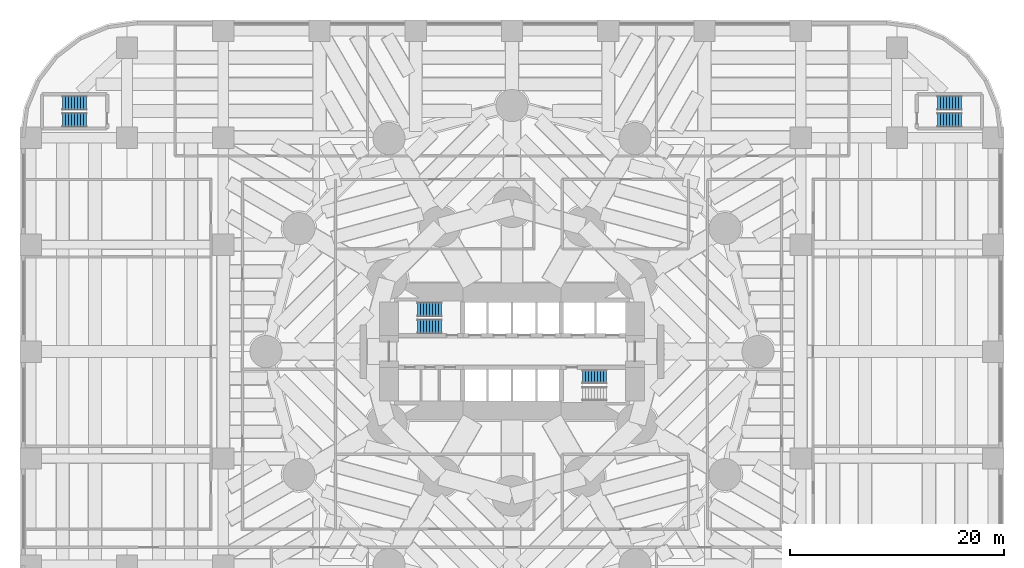
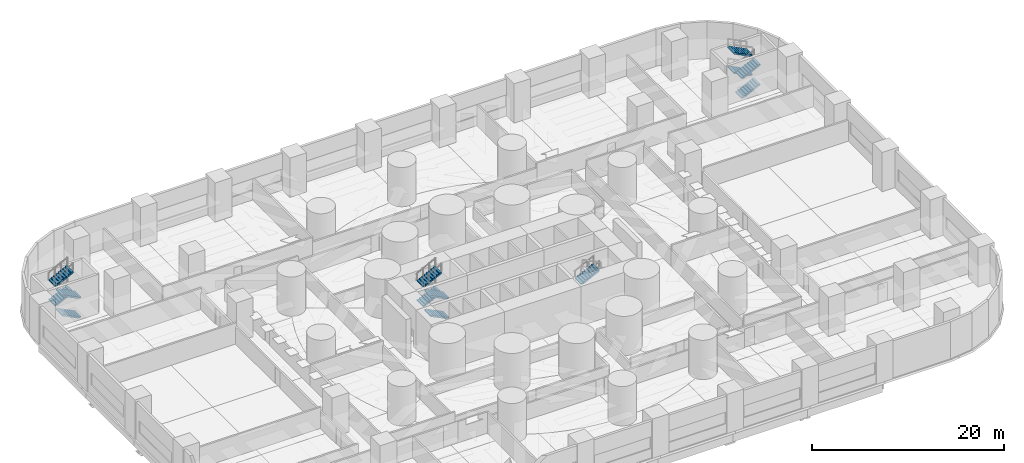
# One storey, part 11 of 17: 13 stair flights, 4 elements without a shape of their own.
"""IFC4 building model written with IfcOpenShell, lengths in metres."""

from ifc_helpers import new_model, si_unit, direction, frame, origin, place, context, subcontext, project, spatial, polyline, outline, extrude, material, type_object, element, aggregate, save


model = new_model("IFC4")

# Units and contexts
model_context = context("Model", 3, precision=1e-05, world=origin(), true_north=direction((0.0, 1.0)))
body_context = subcontext(model_context, "Body", "Model", "MODEL_VIEW")
ifc_project = project(units=[si_unit("LENGTHUNIT", "METRE"), si_unit("AREAUNIT", "SQUARE_METRE"), si_unit("VOLUMEUNIT", "CUBIC_METRE"), si_unit("PLANEANGLEUNIT", "RADIAN"), si_unit("MASSUNIT", "GRAM", prefix="KILO")], contexts=[model_context])

# Site, building, storey
site_placement = place(None, origin())
site = spatial("IfcSite", under=ifc_project, at=site_placement, CompositionType="ELEMENT")
building_placement = place(site_placement, origin())
building = spatial("IfcBuilding", under=site, at=building_placement, Name="Qaws Media Tower", CompositionType="ELEMENT")
storey_placement = place(building_placement, frame((0.0, 0.0, 15.0)))
storey = spatial("IfcBuildingStorey", under=building, at=storey_placement, Name="L02", CompositionType="ELEMENT", Elevation=15.0)

# Stair, stair flights
ifc_material_1 = material(Name="Concrete C40/50", Category="concrete")
stair_type = type_object("IfcStairType", Name="Exit stair", PredefinedType="HALF_TURN_STAIR", material=ifc_material_1)
stair_1_placement = place(storey_placement, origin())
stair_1 = element("IfcStair", 1, at=stair_1_placement, inside=storey, type_object=stair_type, Name="S1 exit stair L02", PredefinedType="HALF_TURN_STAIR")
ifc_material_2 = material(Name="Concrete C40/50", Category="concrete")
stair_flight_type = type_object("IfcStairFlightType", Name="Stair flight 1310", PredefinedType="STRAIGHT", material=ifc_material_2)
stair_flight_1_placement = place(storey_placement, frame((53.419921875, 52.35498046875, 0.0), z_axis=(0.0, 0.0, 1.0), x_axis=(-1.0, 0.0, 0.0)))
stair_flight_1 = element("IfcStairFlight", 2, at=stair_flight_1_placement, type_object=stair_flight_type, Name="S1 flight 1", NumberOfRisers=9, NumberOfTreads=8, PredefinedType="STRAIGHT", RiserHeight=0.138888889, TreadLength=0.28, context=body_context, shape_type="SweptSolid", body=[
    extrude(outline(polyline([(0.0, 0.0), (0.0, 0.138916015625), (0.280029296875, 0.138916015625), (0.280029296875, 0.27783203125), (0.56005859375, 0.27783203125), (0.56005859375, 0.416748046875), (0.840087890625, 0.416748046875), (0.840087890625, 0.5556640625), (1.1201171875, 0.5556640625), (1.1201171875, 0.6943359375), (1.39990234375, 0.6943359375), (1.39990234375, 0.833251953125), (1.679931640625, 0.833251953125), (1.679931640625, 0.97216796875), (1.9599609375, 0.97216796875), (1.9599609375, 1.111083984375), (2.239990234375, 1.111083984375), (2.239990234375, 1.25), (2.239990234375, 0.94384765625), (0.33740234375, 0.0), (0.0, 0.0)])), frame((0.0, 0.655029296875, 0.0), z_axis=(0.0, -1.0, 0.0), x_axis=(1.0, 0.0, 0.0)), (0.0, 0.0, 1.0), 1.31005859375),
])
stair_flight_2_placement = place(storey_placement, frame((51.179931640625, 53.945068359375, 1.25), z_axis=(0.0, 0.0, 1.0), x_axis=(1.0, 0.0, 0.0)))
stair_flight_2 = element("IfcStairFlight", 3, at=stair_flight_2_placement, type_object=stair_flight_type, Name="S1 flight 2", NumberOfRisers=9, NumberOfTreads=8, PredefinedType="STRAIGHT", RiserHeight=0.138888889, TreadLength=0.28, context=body_context, shape_type="SweptSolid", body=[
    extrude(outline(polyline([(0.0, 0.0), (0.0, 0.138916015625), (0.280029296875, 0.138916015625), (0.280029296875, 0.27783203125), (0.56005859375, 0.27783203125), (0.56005859375, 0.416748046875), (0.840087890625, 0.416748046875), (0.840087890625, 0.5556640625), (1.1201171875, 0.5556640625), (1.1201171875, 0.6943359375), (1.39990234375, 0.6943359375), (1.39990234375, 0.833251953125), (1.679931640625, 0.833251953125), (1.679931640625, 0.97216796875), (1.9599609375, 0.97216796875), (1.9599609375, 1.111083984375), (2.239990234375, 1.111083984375), (2.239990234375, 1.25), (2.239990234375, 0.94384765625), (0.33740234375, 0.0), (0.0, 0.0)])), frame((0.0, 0.655029296875, 0.0), z_axis=(0.0, -1.0, 0.0), x_axis=(1.0, 0.0, 0.0)), (0.0, 0.0, 1.0), 1.31005859375),
])
stair_flight_3_placement = place(storey_placement, frame((53.419921875, 52.35498046875, 2.5), z_axis=(0.0, 0.0, 1.0), x_axis=(-1.0, 0.0, 0.0)))
stair_flight_3 = element("IfcStairFlight", 4, at=stair_flight_3_placement, type_object=stair_flight_type, Name="S1 flight 3", NumberOfRisers=9, NumberOfTreads=8, PredefinedType="STRAIGHT", RiserHeight=0.138888889, TreadLength=0.28, context=body_context, shape_type="SweptSolid", body=[
    extrude(outline(polyline([(0.0, 0.0), (0.0, 0.138916015625), (0.280029296875, 0.138916015625), (0.280029296875, 0.27783203125), (0.56005859375, 0.27783203125), (0.56005859375, 0.416748046875), (0.840087890625, 0.416748046875), (0.840087890625, 0.5556640625), (1.1201171875, 0.5556640625), (1.1201171875, 0.6943359375), (1.39990234375, 0.6943359375), (1.39990234375, 0.833251953125), (1.679931640625, 0.833251953125), (1.679931640625, 0.97216796875), (1.9599609375, 0.97216796875), (1.9599609375, 1.111083984375), (2.239990234375, 1.111083984375), (2.239990234375, 1.25), (2.239990234375, 0.94384765625), (0.33740234375, 0.0), (0.0, 0.0)])), frame((0.0, 0.655029296875, 0.0), z_axis=(0.0, -1.0, 0.0), x_axis=(1.0, 0.0, 0.0)), (0.0, 0.0, 1.0), 1.31005859375),
])
stair_flight_4_placement = place(storey_placement, frame((51.179931640625, 53.945068359375, 3.75), z_axis=(0.0, 0.0, 1.0), x_axis=(1.0, 0.0, 0.0)))
stair_flight_4 = element("IfcStairFlight", 5, at=stair_flight_4_placement, type_object=stair_flight_type, Name="S1 flight 4", NumberOfRisers=9, NumberOfTreads=8, PredefinedType="STRAIGHT", RiserHeight=0.138888889, TreadLength=0.28, context=body_context, shape_type="SweptSolid", body=[
    extrude(outline(polyline([(0.0, 0.0), (0.0, 0.138916015625), (0.280029296875, 0.138916015625), (0.280029296875, 0.27783203125), (0.56005859375, 0.27783203125), (0.56005859375, 0.416748046875), (0.840087890625, 0.416748046875), (0.840087890625, 0.5556640625), (1.1201171875, 0.5556640625), (1.1201171875, 0.6943359375), (1.39990234375, 0.6943359375), (1.39990234375, 0.833251953125), (1.679931640625, 0.833251953125), (1.679931640625, 0.97216796875), (1.9599609375, 0.97216796875), (1.9599609375, 1.111083984375), (2.239990234375, 1.111083984375), (2.239990234375, 1.25), (2.239990234375, 0.94384765625), (0.33740234375, 0.0), (0.0, 0.0)])), frame((0.0, 0.655029296875, 0.0), z_axis=(0.0, -1.0, 0.0), x_axis=(1.0, 0.0, 0.0)), (0.0, 0.0, 1.0), 1.31005859375),
])
aggregate(stair_1, [stair_flight_1, stair_flight_2, stair_flight_3, stair_flight_4])

# Stair, stair flight
stair_2_placement = place(storey_placement, origin())
stair_2 = element("IfcStair", 6, at=stair_2_placement, inside=storey, type_object=stair_type, Name="S2 exit stair L02", PredefinedType="HALF_TURN_STAIR")
stair_flight_5_placement = place(storey_placement, frame((66.580078125, 47.64501953125, 2.5), z_axis=(0.0, 0.0, 1.0), x_axis=(1.0, 0.0, 0.0)))
stair_flight_5 = element("IfcStairFlight", 7, at=stair_flight_5_placement, type_object=stair_flight_type, Name="S2 flight 3", NumberOfRisers=9, NumberOfTreads=8, PredefinedType="STRAIGHT", RiserHeight=0.138888889, TreadLength=0.28, context=body_context, shape_type="SweptSolid", body=[
    extrude(outline(polyline([(0.0, 0.0), (0.0, 0.138916015625), (0.280029296875, 0.138916015625), (0.280029296875, 0.27783203125), (0.56005859375, 0.27783203125), (0.56005859375, 0.416748046875), (0.840087890625, 0.416748046875), (0.840087890625, 0.5556640625), (1.1201171875, 0.5556640625), (1.1201171875, 0.6943359375), (1.39990234375, 0.6943359375), (1.39990234375, 0.833251953125), (1.679931640625, 0.833251953125), (1.679931640625, 0.97216796875), (1.9599609375, 0.97216796875), (1.9599609375, 1.111083984375), (2.239990234375, 1.111083984375), (2.239990234375, 1.25), (2.239990234375, 0.94384765625), (0.33740234375, 0.0), (0.0, 0.0)])), frame((0.0, 0.655029296875, 0.0), z_axis=(0.0, -1.0, 0.0), x_axis=(1.0, 0.0, 0.0)), (0.0, 0.0, 1.0), 1.31005859375),
])
aggregate(stair_2, [stair_flight_5])

# Stair, stair flights
stair_3_placement = place(storey_placement, origin())
stair_3 = element("IfcStair", 8, at=stair_3_placement, inside=storey, type_object=stair_type, Name="S3 exit stair L02", PredefinedType="HALF_TURN_STAIR")
stair_flight_6_placement = place(storey_placement, frame((20.219970703125, 71.655029296875, 0.0), z_axis=(0.0, 0.0, 1.0), x_axis=(-1.0, 0.0, 0.0)))
stair_flight_6 = element("IfcStairFlight", 9, at=stair_flight_6_placement, type_object=stair_flight_type, Name="S3 flight 1", NumberOfRisers=9, NumberOfTreads=8, PredefinedType="STRAIGHT", RiserHeight=0.138888889, TreadLength=0.28, context=body_context, shape_type="SweptSolid", body=[
    extrude(outline(polyline([(0.0, 0.0), (0.0, 0.138916015625), (0.280029296875, 0.138916015625), (0.280029296875, 0.27783203125), (0.56005859375, 0.27783203125), (0.56005859375, 0.416748046875), (0.840087890625, 0.416748046875), (0.840087890625, 0.5556640625), (1.1201171875, 0.5556640625), (1.1201171875, 0.6943359375), (1.39990234375, 0.6943359375), (1.39990234375, 0.833251953125), (1.679931640625, 0.833251953125), (1.679931640625, 0.97216796875), (1.9599609375, 0.97216796875), (1.9599609375, 1.111083984375), (2.239990234375, 1.111083984375), (2.239990234375, 1.25), (2.239990234375, 0.94384765625), (0.33740234375, 0.0), (0.0, 0.0)])), frame((0.0, 0.655029296875, 0.0), z_axis=(0.0, -1.0, 0.0), x_axis=(1.0, 0.0, 0.0)), (0.0, 0.0, 1.0), 1.31005859375),
])
stair_flight_7_placement = place(storey_placement, frame((17.97998046875, 73.2451171875, 1.25), z_axis=(0.0, 0.0, 1.0), x_axis=(1.0, 0.0, 0.0)))
stair_flight_7 = element("IfcStairFlight", 10, at=stair_flight_7_placement, type_object=stair_flight_type, Name="S3 flight 2", NumberOfRisers=9, NumberOfTreads=8, PredefinedType="STRAIGHT", RiserHeight=0.138888889, TreadLength=0.28, context=body_context, shape_type="SweptSolid", body=[
    extrude(outline(polyline([(0.0, 0.0), (0.0, 0.138916015625), (0.280029296875, 0.138916015625), (0.280029296875, 0.27783203125), (0.56005859375, 0.27783203125), (0.56005859375, 0.416748046875), (0.840087890625, 0.416748046875), (0.840087890625, 0.5556640625), (1.1201171875, 0.5556640625), (1.1201171875, 0.6943359375), (1.39990234375, 0.6943359375), (1.39990234375, 0.833251953125), (1.679931640625, 0.833251953125), (1.679931640625, 0.97216796875), (1.9599609375, 0.97216796875), (1.9599609375, 1.111083984375), (2.239990234375, 1.111083984375), (2.239990234375, 1.25), (2.239990234375, 0.94384765625), (0.33740234375, 0.0), (0.0, 0.0)])), frame((0.0, 0.655029296875, 0.0), z_axis=(0.0, -1.0, 0.0), x_axis=(1.0, 0.0, 0.0)), (0.0, 0.0, 1.0), 1.31005859375),
])
stair_flight_8_placement = place(storey_placement, frame((20.219970703125, 71.655029296875, 2.5), z_axis=(0.0, 0.0, 1.0), x_axis=(-1.0, 0.0, 0.0)))
stair_flight_8 = element("IfcStairFlight", 11, at=stair_flight_8_placement, type_object=stair_flight_type, Name="S3 flight 3", NumberOfRisers=9, NumberOfTreads=8, PredefinedType="STRAIGHT", RiserHeight=0.138888889, TreadLength=0.28, context=body_context, shape_type="SweptSolid", body=[
    extrude(outline(polyline([(0.0, 0.0), (0.0, 0.138916015625), (0.280029296875, 0.138916015625), (0.280029296875, 0.27783203125), (0.56005859375, 0.27783203125), (0.56005859375, 0.416748046875), (0.840087890625, 0.416748046875), (0.840087890625, 0.5556640625), (1.1201171875, 0.5556640625), (1.1201171875, 0.6943359375), (1.39990234375, 0.6943359375), (1.39990234375, 0.833251953125), (1.679931640625, 0.833251953125), (1.679931640625, 0.97216796875), (1.9599609375, 0.97216796875), (1.9599609375, 1.111083984375), (2.239990234375, 1.111083984375), (2.239990234375, 1.25), (2.239990234375, 0.94384765625), (0.33740234375, 0.0), (0.0, 0.0)])), frame((0.0, 0.655029296875, 0.0), z_axis=(0.0, -1.0, 0.0), x_axis=(1.0, 0.0, 0.0)), (0.0, 0.0, 1.0), 1.31005859375),
])
stair_flight_9_placement = place(storey_placement, frame((17.97998046875, 73.2451171875, 3.75), z_axis=(0.0, 0.0, 1.0), x_axis=(1.0, 0.0, 0.0)))
stair_flight_9 = element("IfcStairFlight", 12, at=stair_flight_9_placement, type_object=stair_flight_type, Name="S3 flight 4", NumberOfRisers=9, NumberOfTreads=8, PredefinedType="STRAIGHT", RiserHeight=0.138888889, TreadLength=0.28, context=body_context, shape_type="SweptSolid", body=[
    extrude(outline(polyline([(0.0, 0.0), (0.0, 0.138916015625), (0.280029296875, 0.138916015625), (0.280029296875, 0.27783203125), (0.56005859375, 0.27783203125), (0.56005859375, 0.416748046875), (0.840087890625, 0.416748046875), (0.840087890625, 0.5556640625), (1.1201171875, 0.5556640625), (1.1201171875, 0.6943359375), (1.39990234375, 0.6943359375), (1.39990234375, 0.833251953125), (1.679931640625, 0.833251953125), (1.679931640625, 0.97216796875), (1.9599609375, 0.97216796875), (1.9599609375, 1.111083984375), (2.239990234375, 1.111083984375), (2.239990234375, 1.25), (2.239990234375, 0.94384765625), (0.33740234375, 0.0), (0.0, 0.0)])), frame((0.0, 0.655029296875, 0.0), z_axis=(0.0, -1.0, 0.0), x_axis=(1.0, 0.0, 0.0)), (0.0, 0.0, 1.0), 1.31005859375),
])
aggregate(stair_3, [stair_flight_6, stair_flight_7, stair_flight_8, stair_flight_9])

stair_4_placement = place(storey_placement, origin())
stair_4 = element("IfcStair", 13, at=stair_4_placement, inside=storey, type_object=stair_type, Name="S4 exit stair L02", PredefinedType="HALF_TURN_STAIR")
stair_flight_10_placement = place(storey_placement, frame((99.780029296875, 71.655029296875, 0.0), z_axis=(0.0, 0.0, 1.0), x_axis=(1.0, 0.0, 0.0)))
stair_flight_10 = element("IfcStairFlight", 14, at=stair_flight_10_placement, type_object=stair_flight_type, Name="S4 flight 1", NumberOfRisers=9, NumberOfTreads=8, PredefinedType="STRAIGHT", RiserHeight=0.138888889, TreadLength=0.28, context=body_context, shape_type="SweptSolid", body=[
    extrude(outline(polyline([(0.0, 0.0), (0.0, 0.138916015625), (0.280029296875, 0.138916015625), (0.280029296875, 0.27783203125), (0.56005859375, 0.27783203125), (0.56005859375, 0.416748046875), (0.840087890625, 0.416748046875), (0.840087890625, 0.5556640625), (1.1201171875, 0.5556640625), (1.1201171875, 0.6943359375), (1.39990234375, 0.6943359375), (1.39990234375, 0.833251953125), (1.679931640625, 0.833251953125), (1.679931640625, 0.97216796875), (1.9599609375, 0.97216796875), (1.9599609375, 1.111083984375), (2.239990234375, 1.111083984375), (2.239990234375, 1.25), (2.239990234375, 0.94384765625), (0.33740234375, 0.0), (0.0, 0.0)])), frame((0.0, 0.655029296875, 0.0), z_axis=(0.0, -1.0, 0.0), x_axis=(1.0, 0.0, 0.0)), (0.0, 0.0, 1.0), 1.31005859375),
])
stair_flight_11_placement = place(storey_placement, frame((102.02001953125, 73.2451171875, 1.25), z_axis=(0.0, 0.0, 1.0), x_axis=(-1.0, 0.0, 0.0)))
stair_flight_11 = element("IfcStairFlight", 15, at=stair_flight_11_placement, type_object=stair_flight_type, Name="S4 flight 2", NumberOfRisers=9, NumberOfTreads=8, PredefinedType="STRAIGHT", RiserHeight=0.138888889, TreadLength=0.28, context=body_context, shape_type="SweptSolid", body=[
    extrude(outline(polyline([(0.0, 0.0), (0.0, 0.138916015625), (0.280029296875, 0.138916015625), (0.280029296875, 0.27783203125), (0.56005859375, 0.27783203125), (0.56005859375, 0.416748046875), (0.840087890625, 0.416748046875), (0.840087890625, 0.5556640625), (1.1201171875, 0.5556640625), (1.1201171875, 0.6943359375), (1.39990234375, 0.6943359375), (1.39990234375, 0.833251953125), (1.679931640625, 0.833251953125), (1.679931640625, 0.97216796875), (1.9599609375, 0.97216796875), (1.9599609375, 1.111083984375), (2.239990234375, 1.111083984375), (2.239990234375, 1.25), (2.239990234375, 0.94384765625), (0.33740234375, 0.0), (0.0, 0.0)])), frame((0.0, 0.655029296875, 0.0), z_axis=(0.0, -1.0, 0.0), x_axis=(1.0, 0.0, 0.0)), (0.0, 0.0, 1.0), 1.31005859375),
])
stair_flight_12_placement = place(storey_placement, frame((99.780029296875, 71.655029296875, 2.5), z_axis=(0.0, 0.0, 1.0), x_axis=(1.0, 0.0, 0.0)))
stair_flight_12 = element("IfcStairFlight", 16, at=stair_flight_12_placement, type_object=stair_flight_type, Name="S4 flight 3", NumberOfRisers=9, NumberOfTreads=8, PredefinedType="STRAIGHT", RiserHeight=0.138888889, TreadLength=0.28, context=body_context, shape_type="SweptSolid", body=[
    extrude(outline(polyline([(0.0, 0.0), (0.0, 0.138916015625), (0.280029296875, 0.138916015625), (0.280029296875, 0.27783203125), (0.56005859375, 0.27783203125), (0.56005859375, 0.416748046875), (0.840087890625, 0.416748046875), (0.840087890625, 0.5556640625), (1.1201171875, 0.5556640625), (1.1201171875, 0.6943359375), (1.39990234375, 0.6943359375), (1.39990234375, 0.833251953125), (1.679931640625, 0.833251953125), (1.679931640625, 0.97216796875), (1.9599609375, 0.97216796875), (1.9599609375, 1.111083984375), (2.239990234375, 1.111083984375), (2.239990234375, 1.25), (2.239990234375, 0.94384765625), (0.33740234375, 0.0), (0.0, 0.0)])), frame((0.0, 0.655029296875, 0.0), z_axis=(0.0, -1.0, 0.0), x_axis=(1.0, 0.0, 0.0)), (0.0, 0.0, 1.0), 1.31005859375),
])
stair_flight_13_placement = place(storey_placement, frame((102.02001953125, 73.2451171875, 3.75), z_axis=(0.0, 0.0, 1.0), x_axis=(-1.0, 0.0, 0.0)))
stair_flight_13 = element("IfcStairFlight", 17, at=stair_flight_13_placement, type_object=stair_flight_type, Name="S4 flight 4", NumberOfRisers=9, NumberOfTreads=8, PredefinedType="STRAIGHT", RiserHeight=0.138888889, TreadLength=0.28, context=body_context, shape_type="SweptSolid", body=[
    extrude(outline(polyline([(0.0, 0.0), (0.0, 0.138916015625), (0.280029296875, 0.138916015625), (0.280029296875, 0.27783203125), (0.56005859375, 0.27783203125), (0.56005859375, 0.416748046875), (0.840087890625, 0.416748046875), (0.840087890625, 0.5556640625), (1.1201171875, 0.5556640625), (1.1201171875, 0.6943359375), (1.39990234375, 0.6943359375), (1.39990234375, 0.833251953125), (1.679931640625, 0.833251953125), (1.679931640625, 0.97216796875), (1.9599609375, 0.97216796875), (1.9599609375, 1.111083984375), (2.239990234375, 1.111083984375), (2.239990234375, 1.25), (2.239990234375, 0.94384765625), (0.33740234375, 0.0), (0.0, 0.0)])), frame((0.0, 0.655029296875, 0.0), z_axis=(0.0, -1.0, 0.0), x_axis=(1.0, 0.0, 0.0)), (0.0, 0.0, 1.0), 1.31005859375),
])
aggregate(stair_4, [stair_flight_10, stair_flight_11, stair_flight_12, stair_flight_13])

save(model, "model.ifc")
